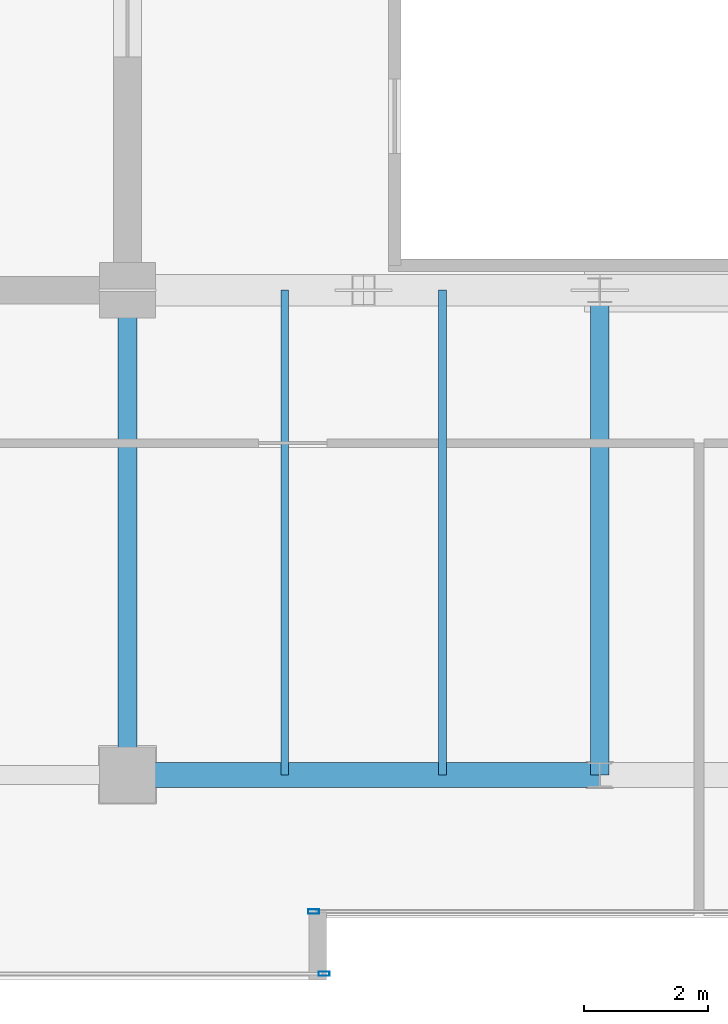
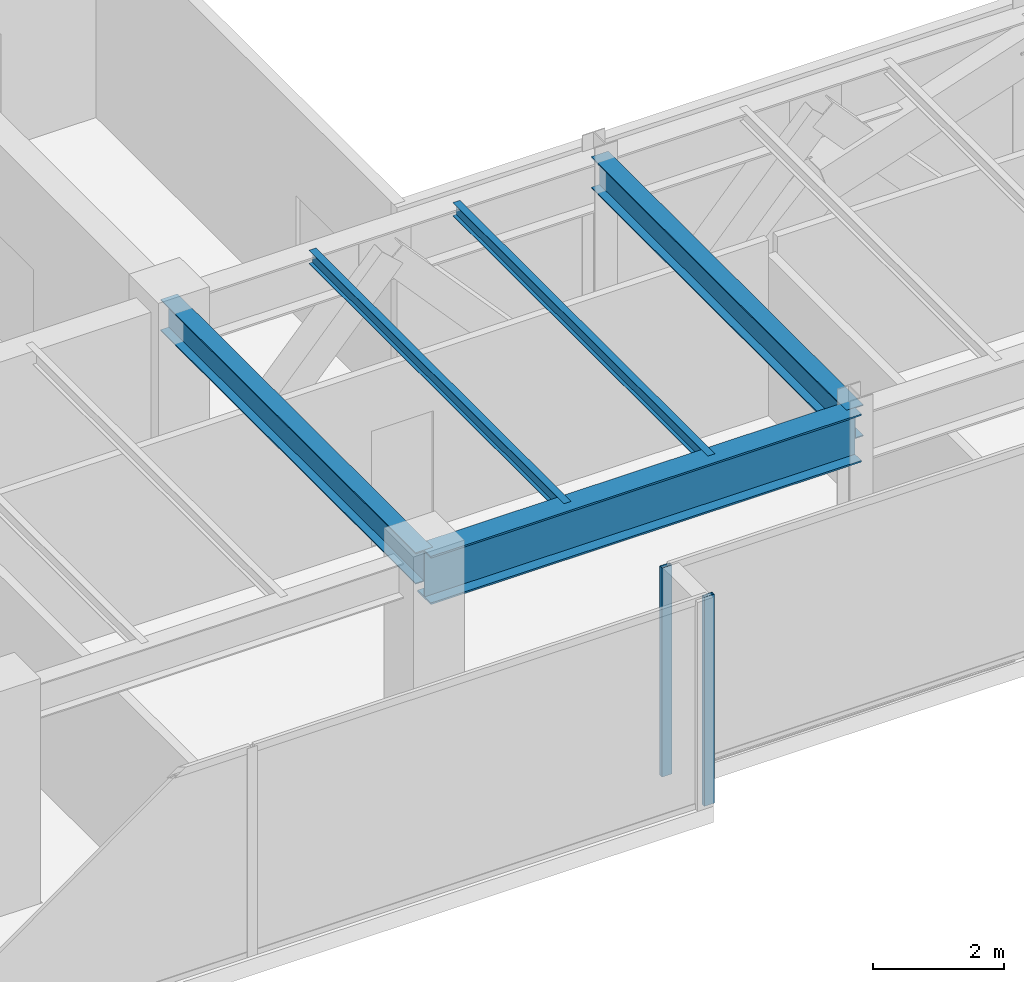
# One storey, part 6 of 32: 5 beams, 2 members, 2 elements without a shape of their own.
"""IFC4 building model written with IfcOpenShell, lengths in metres."""

from ifc_helpers import new_model, si_unit, direction, frame, origin, origin_2d, place, context, subcontext, project, spatial, hollow_rectangle, i_section, extrude, source, transform, mapped, material, layer, layer_set, material_profile, profile_set, type_object, type_shapes, element, aggregate, save


model = new_model("IFC4")

# Units and contexts
model_context = context("Model", 3, precision=1e-05, world=origin(), true_north=direction((0.0, 1.0)))
body_context = subcontext(model_context, "Body", "Model", "MODEL_VIEW")
ifc_project = project(units=[si_unit("LENGTHUNIT", "METRE"), si_unit("AREAUNIT", "SQUARE_METRE"), si_unit("VOLUMEUNIT", "CUBIC_METRE"), si_unit("PLANEANGLEUNIT", "RADIAN"), si_unit("MASSUNIT", "GRAM", prefix="KILO")], contexts=[model_context])

# Site, building, storey
site_placement = place(None, origin())
site = spatial("IfcSite", under=ifc_project, at=site_placement, CompositionType="ELEMENT")
building_placement = place(site_placement, origin())
building = spatial("IfcBuilding", under=site, at=building_placement, Name="Haelvirn Gate Laboratories", CompositionType="ELEMENT")
storey_placement = place(building_placement, frame((0.0, 0.0, 314.39990234375)))
storey = spatial("IfcBuildingStorey", under=building, at=storey_placement, Name="L75", CompositionType="ELEMENT", Elevation=314.39990234375)

# Beams
ifc_material_1 = material(Name="Steel SM420", Category="steel")
ifc_material_profile_1 = material_profile(ifc_material_1, i_section(OverallWidth=0.39990234375, OverallDepth=0.89990234375, WebThickness=0.01904296875, FlangeThickness=0.031982421875, at=origin_2d()), Name="H-900x400x19x32")
ifc_profile_set_1 = profile_set([ifc_material_profile_1], Name="Steel SM420")
beam_type_1 = type_object("IfcBeamType", Name="BM-TG-900", PredefinedType="BEAM", material=ifc_profile_set_1)
shared_shape_1 = source(origin(), body_context, "Body", "SweptSolid", [
    extrude(i_section(OverallWidth=0.39990234375, OverallDepth=0.89990234375, WebThickness=0.01904296875, FlangeThickness=0.031982421875, at=origin_2d()), origin(), (0.0, 0.0, 1.0), 7.60009765625),
])
type_shapes(beam_type_1, [shared_shape_1])
beam_placement = place(storey_placement, frame((22.199951171875, 7.0, 3.4501953125), z_axis=(1.0, 0.0, 0.0), x_axis=(0.0, 1.0, 0.0)))
element("IfcBeam", 1, at=beam_placement, inside=storey, type_object=beam_type_1, Name="L75 Primary Girder Y7.0 (22.2-29.8)", PredefinedType="BEAM", context=body_context, shape_type="MappedRepresentation", body=[
    mapped(shared_shape_1, transform((0.0, 0.0, 0.0), scale=1.0)),
])
ifc_material_2 = material(Name="Steel SM355", Category="steel")
ifc_material_profile_2 = material_profile(ifc_material_2, i_section(OverallWidth=0.300048828125, OverallDepth=0.587890625, WebThickness=0.011962890625, FlangeThickness=0.02001953125, at=origin_2d()), Name="H-588x300x12x20")
ifc_profile_set_2 = profile_set([ifc_material_profile_2], Name="Steel SM355")
beam_type_2 = type_object("IfcBeamType", Name="BM-G-588", PredefinedType="BEAM", material=ifc_profile_set_2)
shared_shape_2 = source(origin(), body_context, "Body", "SweptSolid", [
    extrude(i_section(OverallWidth=0.300048828125, OverallDepth=0.587890625, WebThickness=0.011962890625, FlangeThickness=0.02001953125, at=origin_2d()), origin(), (0.0, 0.0, 1.0), 7.800048828125),
])
type_shapes(beam_type_2, [shared_shape_2])
for number, where, z_axis, x_axis, name in (
    (2, (22.199951171875, 7.0, 3.606201171875), (0.0, 1.0, 0.0), (-1.0, 0.0, 0.0), "L75 Frame Girder X22.2 (7.0-14.8)"),
    (3, (29.800048828125, 7.0, 3.606201171875), (0.0, 1.0, 0.0), (-1.0, 0.0, 0.0), "L75 Frame Girder X29.8 (7.0-14.8)"),
):
    element("IfcBeam", number, at=place(storey_placement, frame(where, z_axis=z_axis, x_axis=x_axis)), inside=storey, type_object=beam_type_2, Name=name, PredefinedType="BEAM", context=body_context, shape_type="MappedRepresentation", body=[
        mapped(shared_shape_2, transform((0.0, 0.0, 0.0), scale=1.0)),
    ])
ifc_material_profile_3 = material_profile(ifc_material_2, i_section(OverallWidth=0.125, OverallDepth=0.25, WebThickness=0.006103515625, FlangeThickness=0.009033203125, at=origin_2d()), Name="H-250x125x6x9")
ifc_profile_set_3 = profile_set([ifc_material_profile_3], Name="Steel SM355")
beam_type_3 = type_object("IfcBeamType", Name="BM-J-250", PredefinedType="JOIST", material=ifc_profile_set_3)
shared_shape_3 = source(origin(), body_context, "Body", "SweptSolid", [
    extrude(i_section(OverallWidth=0.125, OverallDepth=0.25, WebThickness=0.006103515625, FlangeThickness=0.009033203125, at=origin_2d()), origin(), (0.0, 0.0, 1.0), 7.800048828125),
])
type_shapes(beam_type_3, [shared_shape_3])
for number, where, z_axis, x_axis, name in (
    (4, (24.72998046875, 7.0, 3.775146484375), (0.0, 1.0, 0.0), (-1.0, 0.0, 0.0), "L75 Composite Lab Joist South X24.73"),
    (5, (27.27001953125, 7.0, 3.775146484375), (0.0, 1.0, 0.0), (-1.0, 0.0, 0.0), "L75 Composite Lab Joist South X27.27"),
):
    element("IfcBeam", number, at=place(storey_placement, frame(where, z_axis=z_axis, x_axis=x_axis)), inside=storey, type_object=beam_type_3, Name=name, PredefinedType="JOIST", context=body_context, shape_type="MappedRepresentation", body=[
        mapped(shared_shape_3, transform((0.0, 0.0, 0.0), scale=1.0)),
    ])

# Curtain wall, member
ifc_material_3 = material(Name="Anodised bronze unitised aluminium & triple low-E glass", Category="aluminium")
ifc_layer = layer(ifc_material_3, 0.176025390625, Name="CW-SYS-4")
ifc_layer_set = layer_set([ifc_layer], Name="Anodised bronze unitised aluminium & triple low-E glass")
curtain_wall_type = type_object("IfcCurtainWallType", Name="CW-SYS-4", PredefinedType="NOTDEFINED", material=ifc_layer_set)
curtain_wall_1_placement = place(storey_placement, origin())
curtain_wall_1 = element("IfcCurtainWall", 6, at=curtain_wall_1_placement, inside=storey, type_object=curtain_wall_type, Name="L75 Unitised Curtain Wall CW-L75-P0-E00-1", PredefinedType="NOTDEFINED")
ifc_material_4 = material(Name="Extruded aluminium 6063-T6 (anodised bronze)", Category="aluminium")
ifc_material_profile_4 = material_profile(ifc_material_4, hollow_rectangle(XDim=0.070068359375, YDim=0.179931640625, WallThickness=0.0048828125, at=origin_2d()), Name="CWM-180x70x5")
ifc_profile_set_4 = profile_set([ifc_material_profile_4], Name="Extruded aluminium 6063-T6 (anodised bronze)")
member_type = type_object("IfcMemberType", Name="CWM-T180", PredefinedType="MULLION", material=ifc_profile_set_4)
shared_shape_4 = source(origin(), body_context, "Body", "SweptSolid", [
    extrude(hollow_rectangle(XDim=0.070068359375, YDim=0.179931640625, WallThickness=0.0048828125, at=origin_2d()), origin(), (0.0, 0.0, 1.0), 3.900146484375),
])
type_shapes(member_type, [shared_shape_4])
member_1_placement = place(storey_placement, frame((25.364990234375, 3.800048828125, 0.0), z_axis=(0.0, 0.0, 1.0), x_axis=(0.0, 1.0, 0.0)))
member_1 = element("IfcMember", 7, at=member_1_placement, type_object=member_type, Name="CW4 mullion 3", PredefinedType="MULLION", context=body_context, shape_type="MappedRepresentation", body=[
    mapped(shared_shape_4, transform((0.0, 0.0, 0.0), scale=1.0)),
])
aggregate(curtain_wall_1, [member_1])

curtain_wall_2_placement = place(storey_placement, origin())
curtain_wall_2 = element("IfcCurtainWall", 8, at=curtain_wall_2_placement, inside=storey, type_object=curtain_wall_type, Name="L75 Unitised Curtain Wall CW-L75-P0-E02-1", PredefinedType="NOTDEFINED")
member_2_placement = place(storey_placement, frame((25.195068359375, 4.800048828125, 0.0), z_axis=(0.0, 0.0, 1.0), x_axis=(0.0, 1.0, 0.0)))
member_2 = element("IfcMember", 9, at=member_2_placement, type_object=member_type, Name="CW4 mullion 1", PredefinedType="MULLION", context=body_context, shape_type="MappedRepresentation", body=[
    mapped(shared_shape_4, transform((0.0, 0.0, 0.0), scale=1.0)),
])
aggregate(curtain_wall_2, [member_2])

save(model, "model.ifc")
